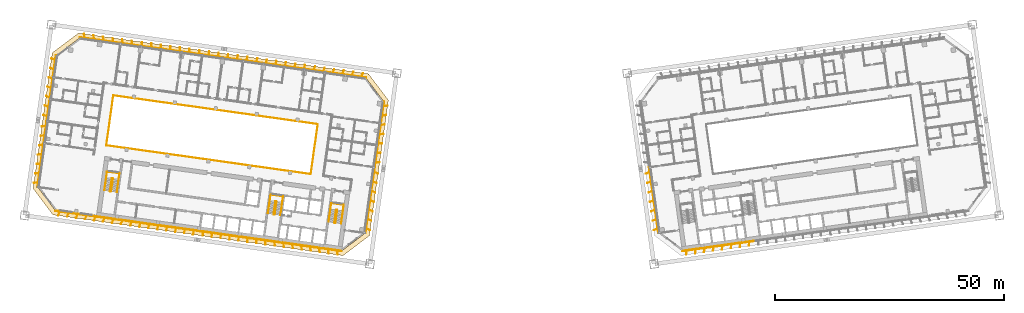
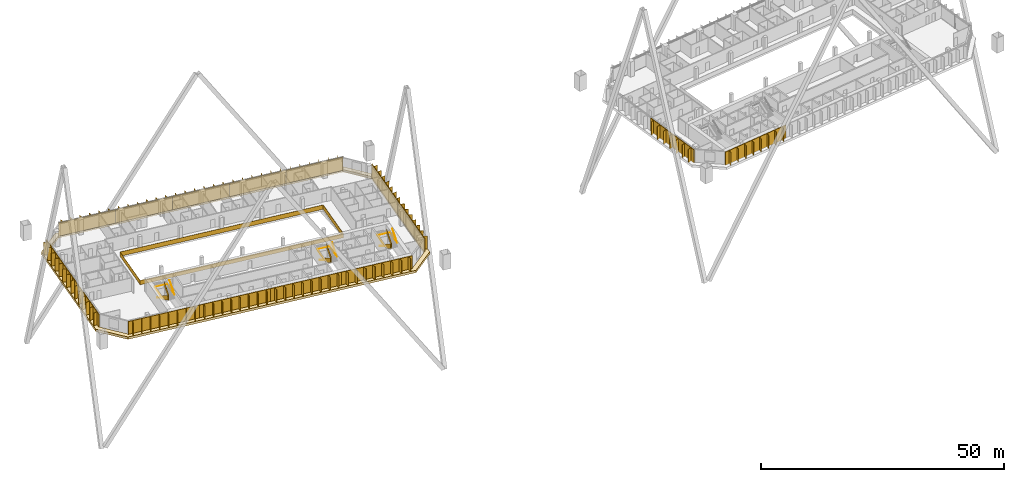
# One storey, part 48 of 49: 15 shading devices, 7 railings, 1 covering.
"""IFC4 building model written with IfcOpenShell, lengths in metres."""

from ifc_helpers import new_model, si_unit, direction, frame, origin, origin_2d, place, context, subcontext, project, spatial, polyline, rectangle, outline, extrude, material, layer, layer_set, type_object, element, save


model = new_model("IFC4")

# Units and contexts
model_context = context("Model", 3, precision=1e-05, world=origin(), true_north=direction((0.0, 1.0)))
body_context = subcontext(model_context, "Body", "Model", "MODEL_VIEW")
ifc_project = project(units=[si_unit("LENGTHUNIT", "METRE"), si_unit("AREAUNIT", "SQUARE_METRE"), si_unit("VOLUMEUNIT", "CUBIC_METRE"), si_unit("PLANEANGLEUNIT", "RADIAN"), si_unit("MASSUNIT", "GRAM", prefix="KILO")], contexts=[model_context])

# Site, building, storey
site_placement = place(None, origin())
site = spatial("IfcSite", under=ifc_project, at=site_placement, CompositionType="ELEMENT")
building_placement = place(site_placement, origin())
building = spatial("IfcBuilding", under=site, at=building_placement, Name="Mirante Cascada Hotel Towers", CompositionType="ELEMENT")
storey_placement = place(building_placement, frame((0.0, 0.0, 66.1)))
storey = spatial("IfcBuildingStorey", under=building, at=storey_placement, Name="L13", CompositionType="ELEMENT", Elevation=66.1)

# Railing
ifc_material_1 = material(Name="Toughened glass with stainless steel handrail", Category="steel")
railing_type_1 = type_object("IfcRailingType", Name="Atrium guard 1100 glass balustrade", PredefinedType="GUARDRAIL", material=ifc_material_1)
railing_1_placement = place(storey_placement, frame((-43.8418, -3.4881, 0.0)))
element("IfcRailing", 1, at=railing_1_placement, inside=storey, type_object=railing_type_1, Name="GUARD 1-L13-1", PredefinedType="GUARDRAIL", context=body_context, shape_type="SweptSolid", body=[
    extrude(rectangle(XDim=0.048, YDim=0.048, at=origin_2d()), frame((0.0, 0.0, 1.076), z_axis=(-0.9902681, 0.1391732, 0.0), x_axis=(-0.1391732, -0.9902681, 0.0)), (0.0, 0.0, 1.0), 45.0),
    extrude(rectangle(XDim=0.02, YDim=1.052, at=origin_2d()), frame((0.0, 0.0, 0.526), z_axis=(-0.9902681, 0.1391732, 0.0), x_axis=(-0.1391732, -0.9902681, 0.0)), (0.0, 0.0, 1.0), 45.0),
    extrude(rectangle(XDim=0.048, YDim=0.048, at=origin_2d()), frame((-44.5621, 6.2628, 1.076), z_axis=(0.1391721, 0.9902682, 0.0), x_axis=(-0.9902682, 0.1391721, 0.0)), (0.0, 0.0, 1.0), 11.0001),
    extrude(rectangle(XDim=0.02, YDim=1.052, at=origin_2d()), frame((-44.5621, 6.2628, 0.526), z_axis=(0.1391721, 0.9902682, 0.0), x_axis=(-0.9902682, 0.1391721, 0.0)), (0.0, 0.0, 1.0), 11.0001),
    extrude(rectangle(XDim=0.048, YDim=0.048, at=origin_2d()), frame((-43.0312, 17.1558, 1.076), z_axis=(0.9902681, -0.1391732, 0.0), x_axis=(0.1391732, 0.9902681, 0.0)), (0.0, 0.0, 1.0), 45.0),
    extrude(rectangle(XDim=0.02, YDim=1.052, at=origin_2d()), frame((-43.0312, 17.1558, 0.526), z_axis=(0.9902681, -0.1391732, 0.0), x_axis=(0.1391732, 0.9902681, 0.0)), (0.0, 0.0, 1.0), 45.0),
    extrude(rectangle(XDim=0.048, YDim=0.048, at=origin_2d()), frame((1.5309, 10.893, 1.076), z_axis=(-0.1391721, -0.9902682, 0.0), x_axis=(0.9902682, -0.1391721, 0.0)), (0.0, 0.0, 1.0), 11.0001),
    extrude(rectangle(XDim=0.02, YDim=1.052, at=origin_2d()), frame((1.5309, 10.893, 0.526), z_axis=(-0.1391721, -0.9902682, 0.0), x_axis=(0.9902682, -0.1391721, 0.0)), (0.0, 0.0, 1.0), 11.0001),
])

# Covering
ifc_material_2 = material(Name="Precast concrete C40/50 white", Category="concrete")
ifc_layer = layer(ifc_material_2, 0.6)
ifc_layer_set = layer_set([ifc_layer], Name="Precast concrete SUNSHADE band 1000x600")
covering_type = type_object("IfcCoveringType", Name="Precast concrete SUNSHADE band 1000x600", PredefinedType="CLADDING", material=ifc_layer_set)
covering_placement = place(storey_placement, frame((0.0, 0.0, -0.45)))
element("IfcCovering", 2, at=covering_placement, inside=storey, type_object=covering_type, Name="Precast concrete SUNSHADE band T1 L13", PredefinedType="CLADDING", context=body_context, shape_type="SweptSolid", body=[
    extrude(outline(polyline([(-104.3652, -6.6094), (-100.2139, 22.9287), (-94.4698, 27.2572), (-31.2626, 18.374), (-26.9341, 12.6299), (-31.0854, -16.9082), (-36.8295, -21.2367), (-100.0367, -12.3535), (-104.3652, -6.6094)]), holes=[polyline([(-27.982, 12.3589), (-31.8119, 17.4414), (-94.1988, 26.2093), (-99.2813, 22.3794), (-103.3173, -6.3384), (-99.4874, -11.4209), (-37.1005, -20.1888), (-32.018, -16.3589), (-27.982, 12.3589)])]), origin(), (0.0, 0.0, 1.0), 0.6),
])

# Railings
ifc_material_3 = material(Name="Painted steel", Category="steel")
railing_type_2 = type_object("IfcRailingType", Name="Stair guard 1100 steel balustrade", PredefinedType="GUARDRAIL", material=ifc_material_3)
railing_2_placement = place(storey_placement, frame((-38.1178, -11.2603, 0.0)))
element("IfcRailing", 3, at=railing_2_placement, inside=storey, type_object=railing_type_2, Name="L13 ST1-A stair guard 1", PredefinedType="GUARDRAIL", context=body_context, shape_type="SweptSolid", body=[
    extrude(rectangle(XDim=0.048, YDim=0.048, at=origin_2d()), frame((0.0, 0.0, 1.076), z_axis=(-0.9903326, 0.1387133, 0.0), x_axis=(-0.1387133, -0.9903326, 0.0)), (0.0, 0.0, 1.0), 0.1499),
    extrude(rectangle(XDim=0.02, YDim=1.052, at=origin_2d()), frame((0.0, 0.0, 0.526), z_axis=(-0.9903326, 0.1387133, 0.0), x_axis=(-0.1387133, -0.9903326, 0.0)), (0.0, 0.0, 1.0), 0.1499),
    extrude(rectangle(XDim=0.048, YDim=0.048, at=origin_2d()), frame((-0.1485, 0.0208, 1.076), z_axis=(-0.7991505, -0.6011309, 0.0), x_axis=(0.6011309, -0.7991505, 0.0)), (0.0, 0.9254529, 0.3788627), 0.1866),
    extrude(rectangle(XDim=0.02, YDim=1.052, at=origin_2d()), frame((-0.1485, 0.0208, 0.526), z_axis=(-0.7991505, -0.6011309, 0.0), x_axis=(0.6011309, -0.7991505, 0.0)), (0.0, 0.9254529, 0.3788627), 0.1866),
    extrude(rectangle(XDim=0.048, YDim=0.048, at=origin_2d()), frame((-0.205, -0.0217, 1.2487), z_axis=(-0.139176, -0.9902677, 0.0), x_axis=(0.9902677, -0.139176, 0.0)), (0.0, 0.5250212, 0.8510891), 3.29),
    extrude(rectangle(XDim=0.02, YDim=1.052, at=origin_2d()), frame((-0.205, -0.0217, 0.6987), z_axis=(-0.139176, -0.9902677, 0.0), x_axis=(0.9902677, -0.139176, 0.0)), (0.0, 0.5250212, 0.8510891), 3.29),
    extrude(rectangle(XDim=0.048, YDim=0.048, at=origin_2d()), frame((-0.5947, -2.7945, 2.976), z_axis=(0.9270311, -0.3749843, 0.0), x_axis=(0.3749843, 0.9270311, 0.0)), (0.0, 0.0, 1.0), 0.2061),
    extrude(rectangle(XDim=0.02, YDim=1.052, at=origin_2d()), frame((-0.5947, -2.7945, 2.426), z_axis=(0.9270311, -0.3749843, 0.0), x_axis=(0.3749843, 0.9270311, 0.0)), (0.0, 0.0, 1.0), 0.2061),
    extrude(rectangle(XDim=0.048, YDim=0.048, at=origin_2d()), frame((-0.4036, -2.8718, 2.976), z_axis=(-0.9902408, 0.1393672, 0.0), x_axis=(-0.1393672, -0.9902408, 0.0)), (0.0, 0.0, 1.0), 0.15),
    extrude(rectangle(XDim=0.02, YDim=1.052, at=origin_2d()), frame((-0.4036, -2.8718, 2.426), z_axis=(-0.9902408, 0.1393672, 0.0), x_axis=(-0.1393672, -0.9902408, 0.0)), (0.0, 0.0, 1.0), 0.15),
    extrude(rectangle(XDim=0.048, YDim=0.048, at=origin_2d()), frame((-0.5521, -2.8509, 2.976), z_axis=(0.9944948, 0.1047858, 0.0), x_axis=(-0.1047858, 0.9944948, 0.0)), (0.0, 0.6422034, 0.7665343), 0.2689),
    extrude(rectangle(XDim=0.02, YDim=1.052, at=origin_2d()), frame((-0.5521, -2.8509, 2.426), z_axis=(0.9944948, 0.1047858, 0.0), x_axis=(-0.1047858, 0.9944948, 0.0)), (0.0, 0.6422034, 0.7665343), 0.2689),
    extrude(rectangle(XDim=0.048, YDim=0.048, at=origin_2d()), frame((-0.3471, -2.8293, 3.1487), z_axis=(0.139176, 0.9902677, 0.0), x_axis=(-0.9902677, 0.139176, 0.0)), (0.0, 0.5250212, 0.8510891), 3.29),
    extrude(rectangle(XDim=0.02, YDim=1.052, at=origin_2d()), frame((-0.3471, -2.8293, 2.5987), z_axis=(0.139176, 0.9902677, 0.0), x_axis=(-0.9902677, 0.139176, 0.0)), (0.0, 0.5250212, 0.8510891), 3.29),
])
railing_3_placement = place(storey_placement, frame((-51.3379, -9.4024, 0.0)))
element("IfcRailing", 4, at=railing_3_placement, inside=storey, type_object=railing_type_2, Name="L13 ST1-B stair guard 1", PredefinedType="GUARDRAIL", context=body_context, shape_type="SweptSolid", body=[
    extrude(rectangle(XDim=0.048, YDim=0.048, at=origin_2d()), frame((0.0, 0.0, 1.076), z_axis=(-0.9902408, 0.1393672, 0.0), x_axis=(-0.1393672, -0.9902408, 0.0)), (0.0, 0.0, 1.0), 0.15),
    extrude(rectangle(XDim=0.02, YDim=1.052, at=origin_2d()), frame((0.0, 0.0, 0.526), z_axis=(-0.9902408, 0.1393672, 0.0), x_axis=(-0.1393672, -0.9902408, 0.0)), (0.0, 0.0, 1.0), 0.15),
    extrude(rectangle(XDim=0.048, YDim=0.048, at=origin_2d()), frame((-0.1485, 0.0209, 1.076), z_axis=(-0.7984711, -0.6020331, 0.0), x_axis=(0.6020331, -0.7984711, 0.0)), (0.0, 0.9253398, 0.3791387), 0.1866),
    extrude(rectangle(XDim=0.02, YDim=1.052, at=origin_2d()), frame((-0.1485, 0.0209, 0.526), z_axis=(-0.7984711, -0.6020331, 0.0), x_axis=(0.6020331, -0.7984711, 0.0)), (0.0, 0.9253398, 0.3791387), 0.1866),
    extrude(rectangle(XDim=0.048, YDim=0.048, at=origin_2d()), frame((-0.205, -0.0217, 1.2487), z_axis=(-0.139181, -0.990267, 0.0), x_axis=(0.990267, -0.139181, 0.0)), (0.0, 0.5250347, 0.8510808), 3.2899),
    extrude(rectangle(XDim=0.02, YDim=1.052, at=origin_2d()), frame((-0.205, -0.0217, 0.6987), z_axis=(-0.139181, -0.990267, 0.0), x_axis=(0.990267, -0.139181, 0.0)), (0.0, 0.5250347, 0.8510808), 3.2899),
    extrude(rectangle(XDim=0.048, YDim=0.048, at=origin_2d()), frame((-0.5947, -2.7944, 2.976), z_axis=(0.9268624, -0.3754011, 0.0), x_axis=(0.3754011, 0.9268624, 0.0)), (0.0, 0.0, 1.0), 0.2062),
    extrude(rectangle(XDim=0.02, YDim=1.052, at=origin_2d()), frame((-0.5947, -2.7944, 2.426), z_axis=(0.9268624, -0.3754011, 0.0), x_axis=(0.3754011, 0.9268624, 0.0)), (0.0, 0.0, 1.0), 0.2062),
    extrude(rectangle(XDim=0.048, YDim=0.048, at=origin_2d()), frame((-0.4036, -2.8718, 2.976), z_axis=(-0.9902408, 0.1393672, 0.0), x_axis=(-0.1393672, -0.9902408, 0.0)), (0.0, 0.0, 1.0), 0.15),
    extrude(rectangle(XDim=0.02, YDim=1.052, at=origin_2d()), frame((-0.4036, -2.8718, 2.426), z_axis=(-0.9902408, 0.1393672, 0.0), x_axis=(-0.1393672, -0.9902408, 0.0)), (0.0, 0.0, 1.0), 0.15),
    extrude(rectangle(XDim=0.048, YDim=0.048, at=origin_2d()), frame((-0.5521, -2.8509, 2.976), z_axis=(0.9944441, 0.1052656, 0.0), x_axis=(-0.1052656, 0.9944441, 0.0)), (0.0, 0.6421842, 0.7665504), 0.2689),
    extrude(rectangle(XDim=0.02, YDim=1.052, at=origin_2d()), frame((-0.5521, -2.8509, 2.426), z_axis=(0.9944441, 0.1052656, 0.0), x_axis=(-0.1052656, 0.9944441, 0.0)), (0.0, 0.6421842, 0.7665504), 0.2689),
    extrude(rectangle(XDim=0.048, YDim=0.048, at=origin_2d()), frame((-0.3471, -2.8292, 3.1487), z_axis=(0.139181, 0.990267, 0.0), x_axis=(-0.990267, 0.139181, 0.0)), (0.0, 0.5250347, 0.8510808), 3.2899),
    extrude(rectangle(XDim=0.02, YDim=1.052, at=origin_2d()), frame((-0.3471, -2.8292, 2.5987), z_axis=(0.139181, 0.990267, 0.0), x_axis=(-0.990267, 0.139181, 0.0)), (0.0, 0.5250347, 0.8510808), 3.2899),
])
railing_4_placement = place(storey_placement, frame((-86.9875, -4.3922, 0.0)))
element("IfcRailing", 5, at=railing_4_placement, inside=storey, type_object=railing_type_2, Name="L13 ST1-C stair guard 1", PredefinedType="GUARDRAIL", context=body_context, shape_type="SweptSolid", body=[
    extrude(rectangle(XDim=0.048, YDim=0.048, at=origin_2d()), frame((0.0, 0.0, 1.076), z_axis=(-0.9902537, 0.1392753, 0.0), x_axis=(-0.1392753, -0.9902537, 0.0)), (0.0, 0.0, 1.0), 0.1501),
    extrude(rectangle(XDim=0.02, YDim=1.052, at=origin_2d()), frame((0.0, 0.0, 0.526), z_axis=(-0.9902537, 0.1392753, 0.0), x_axis=(-0.1392753, -0.9902537, 0.0)), (0.0, 0.0, 1.0), 0.1501),
    extrude(rectangle(XDim=0.048, YDim=0.048, at=origin_2d()), frame((-0.1486, 0.0209, 1.076), z_axis=(-0.7986386, -0.601811, 0.0), x_axis=(0.601811, -0.7986386, 0.0)), (0.0, 0.925603, 0.3784959), 0.1866),
    extrude(rectangle(XDim=0.02, YDim=1.052, at=origin_2d()), frame((-0.1486, 0.0209, 0.526), z_axis=(-0.7986386, -0.601811, 0.0), x_axis=(0.601811, -0.7986386, 0.0)), (0.0, 0.925603, 0.3784959), 0.1866),
    extrude(rectangle(XDim=0.048, YDim=0.048, at=origin_2d()), frame((-0.205, -0.0216, 1.2487), z_axis=(-0.139176, -0.9902677, 0.0), x_axis=(0.9902677, -0.139176, 0.0)), (0.0, 0.5250212, 0.8510891), 3.29),
    extrude(rectangle(XDim=0.02, YDim=1.052, at=origin_2d()), frame((-0.205, -0.0216, 0.6987), z_axis=(-0.139176, -0.9902677, 0.0), x_axis=(0.9902677, -0.139176, 0.0)), (0.0, 0.5250212, 0.8510891), 3.29),
    extrude(rectangle(XDim=0.048, YDim=0.048, at=origin_2d()), frame((-0.5947, -2.7944, 2.976), z_axis=(0.9270311, -0.3749843, 0.0), x_axis=(0.3749843, 0.9270311, 0.0)), (0.0, 0.0, 1.0), 0.2061),
    extrude(rectangle(XDim=0.02, YDim=1.052, at=origin_2d()), frame((-0.5947, -2.7944, 2.426), z_axis=(0.9270311, -0.3749843, 0.0), x_axis=(0.3749843, 0.9270311, 0.0)), (0.0, 0.0, 1.0), 0.2061),
    extrude(rectangle(XDim=0.048, YDim=0.048, at=origin_2d()), frame((-0.4036, -2.8717, 2.976), z_axis=(-0.9903454, 0.1386217, 0.0), x_axis=(-0.1386217, -0.9903454, 0.0)), (0.0, 0.0, 1.0), 0.15),
    extrude(rectangle(XDim=0.02, YDim=1.052, at=origin_2d()), frame((-0.4036, -2.8717, 2.426), z_axis=(-0.9903454, 0.1386217, 0.0), x_axis=(-0.1386217, -0.9903454, 0.0)), (0.0, 0.0, 1.0), 0.15),
    extrude(rectangle(XDim=0.048, YDim=0.048, at=origin_2d()), frame((-0.5522, -2.8509, 2.976), z_axis=(0.9944441, 0.1052656, 0.0), x_axis=(-0.1052656, 0.9944441, 0.0)), (0.0, 0.6421842, 0.7665504), 0.2689),
    extrude(rectangle(XDim=0.02, YDim=1.052, at=origin_2d()), frame((-0.5522, -2.8509, 2.426), z_axis=(0.9944441, 0.1052656, 0.0), x_axis=(-0.1052656, 0.9944441, 0.0)), (0.0, 0.6421842, 0.7665504), 0.2689),
    extrude(rectangle(XDim=0.048, YDim=0.048, at=origin_2d()), frame((-0.3472, -2.8292, 3.1487), z_axis=(0.139176, 0.9902677, 0.0), x_axis=(-0.9902677, 0.139176, 0.0)), (0.0, 0.5250212, 0.8510891), 3.29),
    extrude(rectangle(XDim=0.02, YDim=1.052, at=origin_2d()), frame((-0.3472, -2.8292, 2.5987), z_axis=(0.139176, 0.9902677, 0.0), x_axis=(-0.9902677, 0.139176, 0.0)), (0.0, 0.5250212, 0.8510891), 3.29),
])
ifc_material_4 = material(Name="Painted steel", Category="steel")
railing_type_3 = type_object("IfcRailingType", Name="Stair handrail 900 steel tube", PredefinedType="HANDRAIL", material=ifc_material_4)
railing_5_placement = place(storey_placement, frame((-39.5606, -11.1081, 0.1727)))
element("IfcRailing", 6, at=railing_5_placement, inside=storey, type_object=railing_type_3, Name="L13 ST1-A stair handrail 1", PredefinedType="HANDRAIL", context=body_context, shape_type="SweptSolid", body=[
    extrude(rectangle(XDim=0.048, YDim=0.048, at=origin_2d()), frame((0.0, 0.0, 0.876), z_axis=(-0.139181, -0.990267, 0.0), x_axis=(0.990267, -0.139181, 0.0)), (0.0, 0.5250347, 0.8510808), 3.2899),
    extrude(rectangle(XDim=0.048, YDim=0.048, at=origin_2d()), frame((-0.3897, -2.7727, 2.6033), z_axis=(0.1391707, 0.9902684, 0.0), x_axis=(-0.9902684, 0.1391707, 0.0)), (0.0, 0.0420846, 0.999114), 4.1036),
    extrude(rectangle(XDim=0.048, YDim=0.048, at=origin_2d()), frame((0.1809, 1.2874, 2.776), z_axis=(0.9902691, -0.1391657, 0.0), x_axis=(0.1391657, 0.9902691, 0.0)), (0.0, 0.0, 1.0), 2.75),
    extrude(rectangle(XDim=0.048, YDim=0.048, at=origin_2d()), frame((2.9041, 0.9047, 2.776), z_axis=(-0.1391707, -0.9902684, 0.0), x_axis=(0.9902684, -0.1391707, 0.0)), (0.0, 0.0, 1.0), 4.1),
    extrude(rectangle(XDim=0.048, YDim=0.048, at=origin_2d()), frame((2.3335, -3.1554, 2.776), z_axis=(0.139181, 0.990267, 0.0), x_axis=(-0.990267, 0.139181, 0.0)), (0.0, 0.5250347, 0.8510808), 3.2899),
])
railing_6_placement = place(storey_placement, frame((-52.7807, -9.2501, 0.1727)))
element("IfcRailing", 7, at=railing_6_placement, inside=storey, type_object=railing_type_3, Name="L13 ST1-B stair handrail 1", PredefinedType="HANDRAIL", context=body_context, shape_type="SweptSolid", body=[
    extrude(rectangle(XDim=0.048, YDim=0.048, at=origin_2d()), frame((0.0, 0.0, 0.876), z_axis=(-0.139181, -0.990267, 0.0), x_axis=(0.990267, -0.139181, 0.0)), (0.0, 0.5250347, 0.8510808), 3.2899),
    extrude(rectangle(XDim=0.048, YDim=0.048, at=origin_2d()), frame((-0.3897, -2.7727, 2.6033), z_axis=(0.1391707, 0.9902684, 0.0), x_axis=(-0.9902684, 0.1391707, 0.0)), (0.0, 0.0420846, 0.999114), 4.1036),
    extrude(rectangle(XDim=0.048, YDim=0.048, at=origin_2d()), frame((0.1809, 1.2874, 2.776), z_axis=(0.9902641, -0.1392013, 0.0), x_axis=(0.1392013, 0.9902641, 0.0)), (0.0, 0.0, 1.0), 2.75),
    extrude(rectangle(XDim=0.048, YDim=0.048, at=origin_2d()), frame((2.9041, 0.9046, 2.776), z_axis=(-0.1391707, -0.9902684, 0.0), x_axis=(0.9902684, -0.1391707, 0.0)), (0.0, 0.0, 1.0), 4.1),
    extrude(rectangle(XDim=0.048, YDim=0.048, at=origin_2d()), frame((2.3335, -3.1555, 2.776), z_axis=(0.139176, 0.9902677, 0.0), x_axis=(-0.9902677, 0.139176, 0.0)), (0.0, 0.5250212, 0.8510891), 3.29),
])
railing_7_placement = place(storey_placement, frame((-88.4304, -4.2399, 0.1727)))
element("IfcRailing", 8, at=railing_7_placement, inside=storey, type_object=railing_type_3, Name="L13 ST1-C stair handrail 1", PredefinedType="HANDRAIL", context=body_context, shape_type="SweptSolid", body=[
    extrude(rectangle(XDim=0.048, YDim=0.048, at=origin_2d()), frame((0.0, 0.0, 0.876), z_axis=(-0.139181, -0.990267, 0.0), x_axis=(0.990267, -0.139181, 0.0)), (0.0, 0.5250347, 0.8510808), 3.2899),
    extrude(rectangle(XDim=0.048, YDim=0.048, at=origin_2d()), frame((-0.3897, -2.7727, 2.6033), z_axis=(0.1391947, 0.990265, 0.0), x_axis=(-0.990265, 0.1391947, 0.0)), (0.0, 0.0420845, 0.9991141), 4.1036),
    extrude(rectangle(XDim=0.048, YDim=0.048, at=origin_2d()), frame((0.181, 1.2874, 2.776), z_axis=(0.9902691, -0.1391657, 0.0), x_axis=(0.1391657, 0.9902691, 0.0)), (0.0, 0.0, 1.0), 2.75),
    extrude(rectangle(XDim=0.048, YDim=0.048, at=origin_2d()), frame((2.9042, 0.9047, 2.776), z_axis=(-0.1391707, -0.9902684, 0.0), x_axis=(0.9902684, -0.1391707, 0.0)), (0.0, 0.0, 1.0), 4.1),
    extrude(rectangle(XDim=0.048, YDim=0.048, at=origin_2d()), frame((2.3336, -3.1554, 2.776), z_axis=(0.139181, 0.990267, 0.0), x_axis=(-0.990267, 0.139181, 0.0)), (0.0, 0.5250347, 0.8510808), 3.2899),
])

# Shading devices
ifc_material_5 = material(Name="White precast concrete C50/60 fin", Category="concrete")
shading_device_type = type_object("IfcShadingDeviceType", Name="Vertical fin set 4500x900", PredefinedType="USERDEFINED", material=ifc_material_5)
shading_device_1_placement = place(storey_placement, origin())
element("IfcShadingDevice", 9, at=shading_device_1_placement, inside=storey, type_object=shading_device_type, Name="FIN T1 L13 front 1", ObjectType="FIN", PredefinedType="USERDEFINED", context=body_context, shape_type="SweptSolid", body=[
    extrude(outline(polyline([(-82.8173, 25.599), (-82.7126, 24.7465), (-81.7006, 24.6042), (-81.7214, 24.4557), (-94.1988, 26.2093), (-94.1779, 26.3578), (-93.1924, 26.2193), (-93.2945, 27.0506), (-93.2151, 27.0603), (-93.1104, 26.2078), (-91.1129, 25.9271), (-91.2149, 26.7583), (-91.1355, 26.7681), (-91.0308, 25.9155), (-89.0333, 25.6348), (-89.1354, 26.4661), (-89.056, 26.4758), (-88.9513, 25.6233), (-86.9537, 25.3425), (-87.0558, 26.1738), (-86.9764, 26.1835), (-86.8717, 25.331), (-84.8742, 25.0503), (-84.9762, 25.8815), (-84.8968, 25.8913), (-84.7922, 25.0387), (-82.7946, 24.758), (-82.8967, 25.5893), (-82.8173, 25.599)])), origin(), (0.0, 0.0, 1.0), 3.35),
])
shading_device_2_placement = place(storey_placement, origin())
element("IfcShadingDevice", 10, at=shading_device_2_placement, inside=storey, type_object=shading_device_type, Name="FIN T1 L13 front 2", ObjectType="FIN", PredefinedType="USERDEFINED", context=body_context, shape_type="SweptSolid", body=[
    extrude(outline(polyline([(-70.2221, 23.8469), (-70.2295, 22.9921), (-69.2232, 22.8507), (-69.2441, 22.7021), (-81.7214, 24.4557), (-81.7006, 24.6042), (-80.7072, 24.4646), (-80.6999, 25.3089), (-80.6199, 25.3082), (-80.6273, 24.4534), (-78.6277, 24.1724), (-78.6203, 25.0166), (-78.5403, 25.0159), (-78.5478, 24.1611), (-76.5481, 23.8801), (-76.5407, 24.7244), (-76.4608, 24.7237), (-76.4682, 23.8689), (-74.4686, 23.5878), (-74.4612, 24.4321), (-74.3812, 24.4314), (-74.3886, 23.5766), (-72.389, 23.2956), (-72.3816, 24.1399), (-72.3016, 24.1392), (-72.3091, 23.2844), (-70.3094, 23.0033), (-70.3021, 23.8476), (-70.2221, 23.8469)])), origin(), (0.0, 0.0, 1.0), 3.35),
])
shading_device_3_placement = place(storey_placement, origin())
element("IfcShadingDevice", 11, at=shading_device_3_placement, inside=storey, type_object=shading_device_type, Name="FIN T1 L13 front 3", ObjectType="FIN", PredefinedType="USERDEFINED", context=body_context, shape_type="SweptSolid", body=[
    extrude(outline(polyline([(-57.6277, 22.0794), (-57.746, 21.2376), (-56.7458, 21.0971), (-56.7667, 20.9485), (-69.2441, 22.7021), (-69.2232, 22.8507), (-68.223, 22.7101), (-68.1047, 23.5518), (-68.0255, 23.5407), (-68.1438, 22.699), (-66.1434, 22.4178), (-66.0251, 23.2596), (-65.9459, 23.2484), (-66.0642, 22.4067), (-64.0639, 22.1256), (-63.9456, 22.9673), (-63.8664, 22.9562), (-63.9847, 22.1144), (-61.9843, 21.8333), (-61.866, 22.675), (-61.7868, 22.6639), (-61.9051, 21.8222), (-59.9048, 21.541), (-59.7865, 22.3828), (-59.7072, 22.3716), (-59.8255, 21.5299), (-57.8252, 21.2488), (-57.7069, 22.0905), (-57.6277, 22.0794)])), origin(), (0.0, 0.0, 1.0), 3.35),
])
shading_device_4_placement = place(storey_placement, origin())
element("IfcShadingDevice", 12, at=shading_device_4_placement, inside=storey, type_object=shading_device_type, Name="FIN T1 L13 front 4", ObjectType="FIN", PredefinedType="USERDEFINED", context=body_context, shape_type="SweptSolid", body=[
    extrude(outline(polyline([(-45.0361, 20.2967), (-45.2617, 19.4831), (-44.2684, 19.3435), (-44.2893, 19.195), (-56.7667, 20.9485), (-56.7458, 21.0971), (-55.7394, 20.9556), (-55.511, 21.7794), (-55.4339, 21.758), (-55.6595, 20.9444), (-53.6599, 20.6634), (-53.4314, 21.4871), (-53.3544, 21.4657), (-53.58, 20.6521), (-51.5803, 20.3711), (-51.3519, 21.1949), (-51.2748, 21.1735), (-51.5004, 20.3599), (-49.5008, 20.0789), (-49.2723, 20.9026), (-49.1952, 20.8812), (-49.4209, 20.0676), (-47.4212, 19.7866), (-47.1928, 20.6103), (-47.1157, 20.589), (-47.3413, 19.7754), (-45.3416, 19.4943), (-45.1132, 20.3181), (-45.0361, 20.2967)])), origin(), (0.0, 0.0, 1.0), 3.35),
])
shading_device_5_placement = place(storey_placement, origin())
element("IfcShadingDevice", 13, at=shading_device_5_placement, inside=storey, type_object=shading_device_type, Name="FIN T1 L13 front 5", ObjectType="FIN", PredefinedType="USERDEFINED", context=body_context, shape_type="SweptSolid", body=[
    extrude(outline(polyline([(-32.4493, 18.4994), (-32.7765, 17.7284), (-31.791, 17.5899), (-31.8119, 17.4414), (-44.2893, 19.195), (-44.2684, 19.3435), (-43.2564, 19.2013), (-42.9208, 19.9919), (-42.8471, 19.9607), (-43.1744, 19.1897), (-41.1768, 18.909), (-40.8412, 19.6997), (-40.7676, 19.6684), (-41.0948, 18.8975), (-39.0973, 18.6167), (-38.7616, 19.4074), (-38.688, 19.3761), (-39.0152, 18.6052), (-37.0177, 18.3245), (-36.6821, 19.1151), (-36.6084, 19.0839), (-36.9357, 18.3129), (-34.9381, 18.0322), (-34.6025, 18.8229), (-34.5289, 18.7916), (-34.8561, 18.0207), (-32.8586, 17.7399), (-32.5229, 18.5306), (-32.4493, 18.4994)])), origin(), (0.0, 0.0, 1.0), 3.35),
])
shading_device_6_placement = place(storey_placement, origin())
element("IfcShadingDevice", 14, at=shading_device_6_placement, inside=storey, type_object=shading_device_type, Name="FIN T1 L13 inner 1", ObjectType="FIN", PredefinedType="USERDEFINED", context=body_context, shape_type="SweptSolid", body=[
    extrude(outline(polyline([(-29.7112, -1.023), (-29.8515, -2.0209), (-30.0, -2.0), (-27.982, 12.3589), (-27.8334, 12.338), (-27.97, 11.3667), (-27.1387, 11.4687), (-27.1289, 11.3893), (-27.9815, 11.2846), (-28.2583, 9.3154), (-27.427, 9.4174), (-27.4172, 9.338), (-28.2698, 9.2334), (-28.5465, 7.2641), (-27.7153, 7.3662), (-27.7055, 7.2868), (-28.5581, 7.1821), (-28.8348, 5.2128), (-28.0036, 5.3149), (-27.9938, 5.2355), (-28.8464, 5.1308), (-29.1231, 3.1616), (-28.2918, 3.2636), (-28.2821, 3.1842), (-29.1346, 3.0796), (-29.4114, 1.1103), (-28.5801, 1.2124), (-28.5704, 1.133), (-29.4229, 1.0283), (-29.6997, -0.941), (-28.8684, -0.8389), (-28.8587, -0.9183), (-29.7112, -1.023)])), origin(), (0.0, 0.0, 1.0), 3.35),
])
shading_device_7_placement = place(storey_placement, origin())
element("IfcShadingDevice", 15, at=shading_device_7_placement, inside=storey, type_object=shading_device_type, Name="FIN T1 L13 inner 2", ObjectType="FIN", PredefinedType="USERDEFINED", context=body_context, shape_type="SweptSolid", body=[
    extrude(outline(polyline([(-31.733, -15.4084), (-31.8695, -16.3798), (-32.018, -16.3589), (-30.0, -2.0), (-29.8515, -2.0209), (-29.9917, -3.0188), (-29.201, -3.3544), (-29.2323, -3.428), (-30.0032, -3.1008), (-30.28, -5.07), (-29.4893, -5.4057), (-29.5206, -5.4793), (-30.2915, -5.1521), (-30.5683, -7.1213), (-29.7776, -7.4569), (-29.8089, -7.5306), (-30.5798, -7.2033), (-30.8566, -9.1726), (-30.0659, -9.5082), (-30.0972, -9.5818), (-30.8681, -9.2546), (-31.1449, -11.2238), (-30.3542, -11.5595), (-30.3854, -11.6331), (-31.1564, -11.3059), (-31.4331, -13.2751), (-30.6425, -13.6107), (-30.6737, -13.6844), (-31.4447, -13.3571), (-31.7214, -15.3264), (-30.9308, -15.662), (-30.962, -15.7356), (-31.733, -15.4084)])), origin(), (0.0, 0.0, 1.0), 3.35),
])
shading_device_8_placement = place(storey_placement, origin())
element("IfcShadingDevice", 16, at=shading_device_8_placement, inside=storey, type_object=shading_device_type, Name="FIN T1 L13 outer 1", ObjectType="FIN", PredefinedType="USERDEFINED", context=body_context, shape_type="SweptSolid", body=[
    extrude(outline(polyline([(-103.3178, -5.2642), (-103.041, -3.2949), (-103.8723, -3.397), (-103.8821, -3.3176), (-103.0295, -3.2129), (-102.7528, -1.2436), (-103.584, -1.3457), (-103.5938, -1.2663), (-102.7412, -1.1616), (-102.4645, 0.8076), (-103.2957, 0.7056), (-103.3055, 0.785), (-102.4529, 0.8896), (-102.1762, 2.8589), (-103.0075, 2.7568), (-103.0172, 2.8362), (-102.1647, 2.9409), (-101.8879, 4.9102), (-102.7192, 4.8081), (-102.7289, 4.8875), (-101.8764, 4.9922), (-101.5996, 6.9614), (-102.4309, 6.8594), (-102.4406, 6.9388), (-101.5881, 7.0434), (-101.4478, 8.0413), (-101.2993, 8.0205), (-103.3173, -6.3384), (-103.4659, -6.3175), (-103.3293, -5.3462), (-104.1606, -5.4483), (-104.1704, -5.3689), (-103.3178, -5.2642)])), origin(), (0.0, 0.0, 1.0), 3.35),
])
shading_device_9_placement = place(storey_placement, origin())
element("IfcShadingDevice", 17, at=shading_device_9_placement, inside=storey, type_object=shading_device_type, Name="FIN T1 L13 outer 2", ObjectType="FIN", PredefinedType="USERDEFINED", context=body_context, shape_type="SweptSolid", body=[
    extrude(outline(polyline([(-101.2961, 9.1212), (-101.0193, 11.0905), (-101.81, 11.4261), (-101.7787, 11.4998), (-101.0078, 11.1725), (-100.731, 13.1418), (-101.5217, 13.4774), (-101.4904, 13.551), (-100.7195, 13.2238), (-100.4427, 15.193), (-101.2334, 15.5287), (-101.2021, 15.6023), (-100.4312, 15.2751), (-100.1544, 17.2443), (-100.9451, 17.5799), (-100.9139, 17.6536), (-100.1429, 17.3263), (-99.8662, 19.2956), (-100.6568, 19.6312), (-100.6256, 19.7048), (-99.8546, 19.3776), (-99.5779, 21.3469), (-100.3685, 21.6825), (-100.3373, 21.7561), (-99.5663, 21.4289), (-99.4298, 22.4002), (-99.2813, 22.3794), (-101.2993, 8.0205), (-101.4478, 8.0413), (-101.3076, 9.0392), (-102.0983, 9.3749), (-102.067, 9.4485), (-101.2961, 9.1212)])), origin(), (0.0, 0.0, 1.0), 3.35),
])
shading_device_10_placement = place(storey_placement, origin())
element("IfcShadingDevice", 18, at=shading_device_10_placement, inside=storey, type_object=shading_device_type, Name="FIN T1 L13 rear 1", ObjectType="FIN", PredefinedType="USERDEFINED", context=body_context, shape_type="SweptSolid", body=[
    extrude(outline(polyline([(-38.1239, -20.1965), (-39.9915, -19.934), (-39.8894, -20.7653), (-39.9688, -20.775), (-40.0735, -19.9225), (-41.9411, -19.66), (-41.839, -20.4913), (-41.9184, -20.501), (-42.0231, -19.6485), (-43.8907, -19.386), (-43.7886, -20.2173), (-43.868, -20.227), (-43.9727, -19.3745), (-45.8403, -19.112), (-45.7382, -19.9433), (-45.8176, -19.953), (-45.9223, -19.1005), (-47.7898, -18.838), (-47.6878, -19.6693), (-47.7672, -19.679), (-47.8719, -18.8265), (-49.7394, -18.564), (-49.6374, -19.3953), (-49.7168, -19.405), (-49.8214, -18.5525), (-51.689, -18.29), (-51.587, -19.1213), (-51.6664, -19.131), (-51.771, -18.2785), (-52.7181, -18.1454), (-52.6972, -17.9968), (-37.1005, -20.1888), (-37.1214, -20.3374), (-38.0419, -20.208), (-37.9398, -21.0393), (-38.0192, -21.049), (-38.1239, -20.1965)])), origin(), (0.0, 0.0, 1.0), 3.35),
])
shading_device_11_placement = place(storey_placement, origin())
element("IfcShadingDevice", 19, at=shading_device_11_placement, inside=storey, type_object=shading_device_type, Name="FIN T1 L13 rear 2", ObjectType="FIN", PredefinedType="USERDEFINED", context=body_context, shape_type="SweptSolid", body=[
    extrude(outline(polyline([(-53.7283, -18.0034), (-55.5984, -17.7406), (-55.6427, -18.5857), (-55.7226, -18.5815), (-55.6779, -17.7294), (-57.548, -17.4666), (-57.5923, -18.3117), (-57.6722, -18.3075), (-57.6275, -17.4554), (-59.4976, -17.1926), (-59.5419, -18.0377), (-59.6217, -18.0335), (-59.5771, -17.1814), (-61.4472, -16.9186), (-61.4914, -17.7637), (-61.5713, -17.7596), (-61.5267, -16.9074), (-63.3967, -16.6446), (-63.441, -17.4897), (-63.5209, -17.4856), (-63.4763, -16.6334), (-65.3463, -16.3706), (-65.3906, -17.2157), (-65.4705, -17.2116), (-65.4259, -16.3594), (-67.2959, -16.0966), (-67.3402, -16.9417), (-67.4201, -16.9376), (-67.3755, -16.0854), (-68.3148, -15.9534), (-68.2939, -15.8049), (-52.6972, -17.9968), (-52.7181, -18.1454), (-53.6488, -18.0146), (-53.6931, -18.8597), (-53.773, -18.8555), (-53.7283, -18.0034)])), origin(), (0.0, 0.0, 1.0), 3.35),
])
shading_device_12_placement = place(storey_placement, origin())
element("IfcShadingDevice", 20, at=shading_device_12_placement, inside=storey, type_object=shading_device_type, Name="FIN T1 L13 rear 3", ObjectType="FIN", PredefinedType="USERDEFINED", context=body_context, shape_type="SweptSolid", body=[
    extrude(outline(polyline([(-69.3337, -15.8102), (-71.2038, -15.5474), (-71.3957, -16.3788), (-71.4737, -16.3608), (-71.2833, -15.5362), (-73.1534, -15.2734), (-73.3453, -16.1048), (-73.4233, -16.0868), (-73.2329, -15.2622), (-75.103, -14.9994), (-75.2949, -15.8308), (-75.3729, -15.8128), (-75.1825, -14.9882), (-77.0525, -14.7254), (-77.2445, -15.5568), (-77.3224, -15.5388), (-77.1321, -14.7142), (-79.0021, -14.4514), (-79.1941, -15.2828), (-79.272, -15.2648), (-79.0817, -14.4402), (-80.9517, -14.1774), (-81.1437, -15.0088), (-81.2216, -14.9908), (-81.0312, -14.1662), (-82.9013, -13.9034), (-83.0933, -14.7348), (-83.1712, -14.7168), (-82.9808, -13.8922), (-83.9115, -13.7614), (-83.8907, -13.6129), (-68.2939, -15.8049), (-68.3148, -15.9534), (-69.2542, -15.8214), (-69.4461, -16.6528), (-69.5241, -16.6348), (-69.3337, -15.8102)])), origin(), (0.0, 0.0, 1.0), 3.35),
])
shading_device_13_placement = place(storey_placement, origin())
element("IfcShadingDevice", 21, at=shading_device_13_placement, inside=storey, type_object=shading_device_type, Name="FIN T1 L13 rear 4", ObjectType="FIN", PredefinedType="USERDEFINED", context=body_context, shape_type="SweptSolid", body=[
    extrude(outline(polyline([(-84.9406, -13.6168), (-86.8082, -13.3543), (-87.1438, -14.145), (-87.2174, -14.1137), (-86.8902, -13.3428), (-88.7578, -13.0803), (-89.0934, -13.871), (-89.167, -13.8397), (-88.8398, -13.0688), (-90.7074, -12.8063), (-91.043, -13.597), (-91.1166, -13.5657), (-90.7894, -12.7948), (-92.657, -12.5323), (-92.9926, -13.323), (-93.0662, -13.2918), (-92.739, -12.5208), (-94.6065, -12.2583), (-94.9422, -13.049), (-95.0158, -13.0178), (-94.6886, -12.2468), (-96.5561, -11.9843), (-96.8918, -12.775), (-96.9654, -12.7438), (-96.6381, -11.9728), (-98.5057, -11.7103), (-98.8413, -12.501), (-98.915, -12.4698), (-98.5877, -11.6988), (-99.5083, -11.5694), (-99.4874, -11.4209), (-83.8907, -13.6129), (-83.9115, -13.7614), (-84.8586, -13.6283), (-85.1942, -14.419), (-85.2679, -14.3877), (-84.9406, -13.6168)])), origin(), (0.0, 0.0, 1.0), 3.35),
])
shading_device_14_placement = place(storey_placement, origin())
element("IfcShadingDevice", 22, at=shading_device_14_placement, inside=storey, type_object=shading_device_type, Name="FIN T2 L13 inner 2", ObjectType="FIN", PredefinedType="USERDEFINED", context=body_context, shape_type="SweptSolid", body=[
    extrude(outline(polyline([(30.9308, -15.662), (31.7214, -15.3264), (31.4447, -13.3571), (30.6737, -13.6844), (30.6425, -13.6107), (31.4331, -13.2751), (31.1564, -11.3059), (30.3854, -11.6331), (30.3542, -11.5595), (31.1449, -11.2238), (30.8681, -9.2546), (30.0972, -9.5818), (30.0659, -9.5082), (30.8566, -9.1726), (30.5798, -7.2033), (29.8089, -7.5306), (29.7776, -7.4569), (30.5683, -7.1213), (30.2915, -5.1521), (29.5206, -5.4793), (29.4893, -5.4057), (30.28, -5.07), (30.0032, -3.1008), (29.2323, -3.428), (29.201, -3.3544), (29.9917, -3.0188), (29.8515, -2.0209), (30.0, -2.0), (32.018, -16.3589), (31.8695, -16.3798), (31.733, -15.4084), (30.962, -15.7356), (30.9308, -15.662)])), origin(), (0.0, 0.0, 1.0), 3.35),
])
shading_device_15_placement = place(storey_placement, origin())
element("IfcShadingDevice", 23, at=shading_device_15_placement, inside=storey, type_object=shading_device_type, Name="FIN T2 L13 rear 1", ObjectType="FIN", PredefinedType="USERDEFINED", context=body_context, shape_type="SweptSolid", body=[
    extrude(outline(polyline([(37.9398, -21.0393), (38.0419, -20.208), (37.1214, -20.3374), (37.1005, -20.1888), (52.6972, -17.9968), (52.7181, -18.1454), (51.771, -18.2785), (51.6664, -19.131), (51.587, -19.1213), (51.689, -18.29), (49.8214, -18.5525), (49.7168, -19.405), (49.6374, -19.3953), (49.7394, -18.564), (47.8719, -18.8265), (47.7672, -19.679), (47.6878, -19.6693), (47.7898, -18.838), (45.9223, -19.1005), (45.8176, -19.953), (45.7382, -19.9433), (45.8403, -19.112), (43.9727, -19.3745), (43.868, -20.227), (43.7886, -20.2173), (43.8907, -19.386), (42.0231, -19.6485), (41.9184, -20.501), (41.839, -20.4913), (41.9411, -19.66), (40.0735, -19.9225), (39.9688, -20.775), (39.8894, -20.7653), (39.9915, -19.934), (38.1239, -20.1965), (38.0192, -21.049), (37.9398, -21.0393)])), origin(), (0.0, 0.0, 1.0), 3.35),
])

save(model, "model.ifc")
